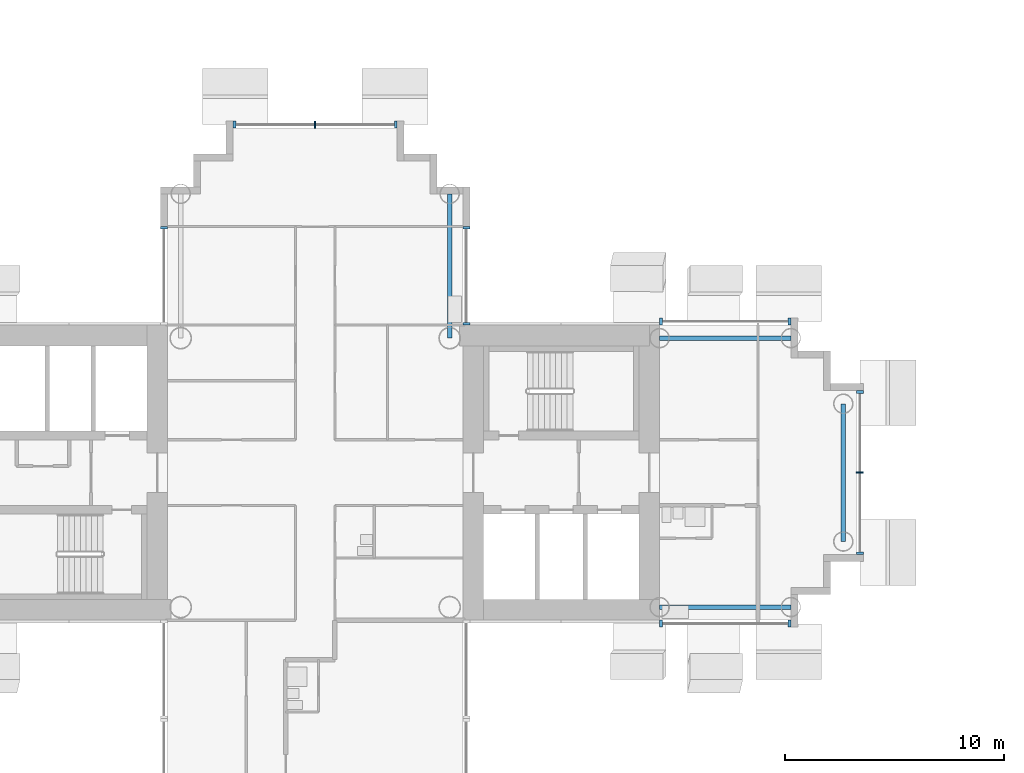
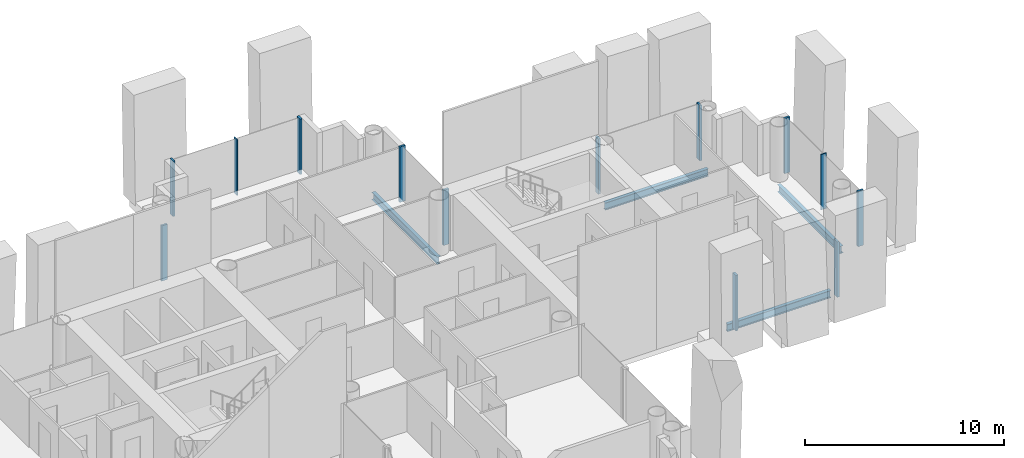
# One storey, part 4 of 20: 13 members, 4 beams, 6 elements without a shape of their own.
"""IFC4 building model written with IfcOpenShell, lengths in metres."""

from ifc_helpers import new_model, si_unit, direction, frame, origin, origin_2d, place, context, subcontext, project, spatial, rectangle, i_section, extrude, material, layer, layer_set, material_profile, profile_set, type_object, element, aggregate, save


model = new_model("IFC4")

# Units and contexts
model_context = context("Model", 3, precision=1e-05, world=origin(), true_north=direction((0.0, 1.0)))
body_context = subcontext(model_context, "Body", "Model", "MODEL_VIEW")
ifc_project = project(units=[si_unit("LENGTHUNIT", "METRE"), si_unit("AREAUNIT", "SQUARE_METRE"), si_unit("VOLUMEUNIT", "CUBIC_METRE"), si_unit("PLANEANGLEUNIT", "RADIAN"), si_unit("MASSUNIT", "GRAM", prefix="KILO")], contexts=[model_context])

# Site, building, storey
site_placement = place(None, origin())
site = spatial("IfcSite", under=ifc_project, at=site_placement, CompositionType="ELEMENT")
building_placement = place(site_placement, origin())
building = spatial("IfcBuilding", under=site, at=building_placement, Name="Ipe Terrace Towers", CompositionType="ELEMENT")
storey_placement = place(building_placement, frame((0.0, 0.0, 120.800048828125)))
storey = spatial("IfcBuildingStorey", under=building, at=storey_placement, Name="L33", CompositionType="ELEMENT", Elevation=120.800048828125)

# Beams
ifc_material_1 = material(Name="Steel S355", Category="steel")
ifc_material_profile_1 = material_profile(ifc_material_1, i_section(OverallWidth=0.199951171875, OverallDepth=0.449951171875, WebThickness=0.009033203125, FlangeThickness=0.013916015625, at=origin_2d()), Name="H-450x200x9x14")
ifc_profile_set_1 = profile_set([ifc_material_profile_1], Name="Steel S355")
beam_type = type_object("IfcBeamType", Name="H08 EDGE BEAM H-450x200x9x14", PredefinedType="BEAM", material=ifc_profile_set_1)
for number, where, z_axis, x_axis, name in (
    (1, (-20.25, -6.14990234375, -0.625), (1.0, 0.0, 0.0), (0.0, 1.0, 0.0), "Edge beam T1-EB-A01-A03"),
    (2, (-20.25, 6.14990234375, -0.625), (1.0, 0.0, 0.0), (0.0, 1.0, 0.0), "Edge beam T1-EB-A02-A04"),
):
    element("IfcBeam", number, at=place(storey_placement, frame(where, z_axis=z_axis, x_axis=x_axis)), inside=storey, type_object=beam_type, Name=name, PredefinedType="BEAM", context=body_context, shape_type="SweptSolid", body=[
        extrude(i_section(OverallWidth=0.199951171875, OverallDepth=0.449951171875, WebThickness=0.009033203125, FlangeThickness=0.013916015625, at=origin_2d()), origin(), (0.0, 0.0, 1.0), 6.0),
    ])
beam_1_placement = place(storey_placement, frame((-11.85009765625, -3.14990234375, -0.625), z_axis=(0.0, 1.0, 0.0), x_axis=(-1.0, 0.0, 0.0)))
element("IfcBeam", 3, at=beam_1_placement, inside=storey, type_object=beam_type, Name="Edge beam T1-EB-A05-A06", PredefinedType="BEAM", context=body_context, shape_type="SweptSolid", body=[
    extrude(i_section(OverallWidth=0.199951171875, OverallDepth=0.449951171875, WebThickness=0.009033203125, FlangeThickness=0.013916015625, at=origin_2d()), origin(), (0.0, 0.0, 1.0), 6.2998046875),
])
beam_2_placement = place(storey_placement, frame((-29.85009765625, 12.75, -0.625), z_axis=(0.0, -1.0, 0.0), x_axis=(1.0, 0.0, 0.0)))
element("IfcBeam", 4, at=beam_2_placement, inside=storey, type_object=beam_type, Name="Edge beam T1-EB-B01-E03", PredefinedType="BEAM", context=body_context, shape_type="SweptSolid", body=[
    extrude(i_section(OverallWidth=0.199951171875, OverallDepth=0.449951171875, WebThickness=0.009033203125, FlangeThickness=0.013916015625, at=origin_2d()), origin(), (0.0, 0.0, 1.0), 6.60009765625),
])

# Curtain wall, members
ifc_material_2 = material(Name="Aluminium alloy 6063-T6", Category="aluminium")
ifc_layer = layer(ifc_material_2, 0.320068359375)
ifc_layer_set = layer_set([ifc_layer], Name="TOWER UNITISED CURTAIN WALL")
curtain_wall_type = type_object("IfcCurtainWallType", Name="TOWER UNITISED CURTAIN WALL", PredefinedType="NOTDEFINED", material=ifc_layer_set)
curtain_wall_1_placement = place(storey_placement, origin())
curtain_wall_1 = element("IfcCurtainWall", 5, at=curtain_wall_1_placement, inside=storey, type_object=curtain_wall_type, Name="T1-CW-L33-20b curtain wall", PredefinedType="NOTDEFINED")
ifc_material_3 = material(Name="Aluminium alloy 6063-T6", Category="aluminium")
ifc_material_profile_2 = material_profile(ifc_material_3, rectangle(XDim=0.320068359375, YDim=0.1201171875, at=origin_2d()), Name="TOWER UNITISED CORNER MULLION 320 x 120")
ifc_profile_set_2 = profile_set([ifc_material_profile_2], Name="Aluminium alloy 6063-T6")
member_type_1 = type_object("IfcMemberType", Name="TOWER UNITISED CORNER MULLION 320 x 120", PredefinedType="MULLION", material=ifc_profile_set_2)
member_1_placement = place(storey_placement, frame((-20.18896484375, -6.909912109375, -0.300048828125), z_axis=(0.0, 0.0, 1.0), x_axis=(0.0, -1.0, 0.0)))
member_1 = element("IfcMember", 6, at=member_1_placement, type_object=member_type_1, Name="T1-CW-L33-20b mullion 1", PredefinedType="MULLION", context=body_context, shape_type="SweptSolid", body=[
    extrude(rectangle(XDim=0.320068359375, YDim=0.1201171875, at=origin_2d()), origin(), (0.0, 0.0, 1.0), 3.39990234375),
])
member_2_placement = place(storey_placement, frame((-14.31005859375, -6.909912109375, -0.300048828125), z_axis=(0.0, 0.0, 1.0), x_axis=(0.0, -1.0, 0.0)))
member_2 = element("IfcMember", 7, at=member_2_placement, type_object=member_type_1, Name="T1-CW-L33-20b mullion 2", PredefinedType="MULLION", context=body_context, shape_type="SweptSolid", body=[
    extrude(rectangle(XDim=0.320068359375, YDim=0.1201171875, at=origin_2d()), origin(), (0.0, 0.0, 1.0), 3.39990234375),
])
aggregate(curtain_wall_1, [member_1, member_2])

curtain_wall_2_placement = place(storey_placement, origin())
curtain_wall_2 = element("IfcCurtainWall", 8, at=curtain_wall_2_placement, inside=storey, type_object=curtain_wall_type, Name="T1-CW-L33-25a curtain wall", PredefinedType="NOTDEFINED")
member_3_placement = place(storey_placement, frame((-11.090087890625, -3.68994140625, -0.300048828125), z_axis=(0.0, 0.0, 1.0), x_axis=(1.0, 0.0, 0.0)))
member_3 = element("IfcMember", 9, at=member_3_placement, type_object=member_type_1, Name="T1-CW-L33-25a mullion 1", PredefinedType="MULLION", context=body_context, shape_type="SweptSolid", body=[
    extrude(rectangle(XDim=0.320068359375, YDim=0.1201171875, at=origin_2d()), origin(), (0.0, 0.0, 1.0), 3.39990234375),
])
member_4_placement = place(storey_placement, frame((-11.090087890625, 3.68994140625, -0.300048828125), z_axis=(0.0, 0.0, 1.0), x_axis=(1.0, 0.0, 0.0)))
member_4 = element("IfcMember", 10, at=member_4_placement, type_object=member_type_1, Name="T1-CW-L33-25a mullion 3", PredefinedType="MULLION", context=body_context, shape_type="SweptSolid", body=[
    extrude(rectangle(XDim=0.320068359375, YDim=0.1201171875, at=origin_2d()), origin(), (0.0, 0.0, 1.0), 3.39990234375),
])

curtain_wall_3_placement = place(storey_placement, origin())
curtain_wall_3 = element("IfcCurtainWall", 11, at=curtain_wall_3_placement, inside=storey, type_object=curtain_wall_type, Name="T1-CW-L33-30a curtain wall", PredefinedType="NOTDEFINED")
member_5_placement = place(storey_placement, frame((-14.31005859375, 6.909912109375, -0.300048828125), z_axis=(0.0, 0.0, 1.0), x_axis=(0.0, 1.0, 0.0)))
member_5 = element("IfcMember", 12, at=member_5_placement, type_object=member_type_1, Name="T1-CW-L33-30a mullion 1", PredefinedType="MULLION", context=body_context, shape_type="SweptSolid", body=[
    extrude(rectangle(XDim=0.320068359375, YDim=0.1201171875, at=origin_2d()), origin(), (0.0, 0.0, 1.0), 3.39990234375),
])
member_6_placement = place(storey_placement, frame((-20.18896484375, 6.909912109375, -0.300048828125), z_axis=(0.0, 0.0, 1.0), x_axis=(0.0, 1.0, 0.0)))
member_6 = element("IfcMember", 13, at=member_6_placement, type_object=member_type_1, Name="T1-CW-L33-30a mullion 2", PredefinedType="MULLION", context=body_context, shape_type="SweptSolid", body=[
    extrude(rectangle(XDim=0.320068359375, YDim=0.1201171875, at=origin_2d()), origin(), (0.0, 0.0, 1.0), 3.39990234375),
])
aggregate(curtain_wall_3, [member_5, member_6])

curtain_wall_4_placement = place(storey_placement, origin())
curtain_wall_4 = element("IfcCurtainWall", 14, at=curtain_wall_4_placement, inside=storey, type_object=curtain_wall_type, Name="T1-CW-L33-32a curtain wall", PredefinedType="NOTDEFINED")
member_7_placement = place(storey_placement, frame((-29.090087890625, 6.81005859375, -0.300048828125), z_axis=(0.0, 0.0, 1.0), x_axis=(1.0, 0.0, 0.0)))
member_7 = element("IfcMember", 15, at=member_7_placement, type_object=member_type_1, Name="T1-CW-L33-32a mullion 1", PredefinedType="MULLION", context=body_context, shape_type="SweptSolid", body=[
    extrude(rectangle(XDim=0.320068359375, YDim=0.1201171875, at=origin_2d()), origin(), (0.0, 0.0, 1.0), 3.39990234375),
])
member_8_placement = place(storey_placement, frame((-29.090087890625, 11.18994140625, -0.300048828125), z_axis=(0.0, 0.0, 1.0), x_axis=(1.0, 0.0, 0.0)))
member_8 = element("IfcMember", 16, at=member_8_placement, type_object=member_type_1, Name="T1-CW-L33-32a mullion 2", PredefinedType="MULLION", context=body_context, shape_type="SweptSolid", body=[
    extrude(rectangle(XDim=0.320068359375, YDim=0.1201171875, at=origin_2d()), origin(), (0.0, 0.0, 1.0), 3.39990234375),
])
aggregate(curtain_wall_4, [member_7, member_8])

curtain_wall_5_placement = place(storey_placement, origin())
curtain_wall_5 = element("IfcCurtainWall", 17, at=curtain_wall_5_placement, inside=storey, type_object=curtain_wall_type, Name="T1-CW-L33-38a curtain wall", PredefinedType="NOTDEFINED")
member_9_placement = place(storey_placement, frame((-32.31005859375, 15.909912109375, -0.300048828125), z_axis=(0.0, 0.0, 1.0), x_axis=(0.0, 1.0, 0.0)))
member_9 = element("IfcMember", 18, at=member_9_placement, type_object=member_type_1, Name="T1-CW-L33-38a mullion 1", PredefinedType="MULLION", context=body_context, shape_type="SweptSolid", body=[
    extrude(rectangle(XDim=0.320068359375, YDim=0.1201171875, at=origin_2d()), origin(), (0.0, 0.0, 1.0), 3.39990234375),
])
member_10_placement = place(storey_placement, frame((-39.68994140625, 15.909912109375, -0.300048828125), z_axis=(0.0, 0.0, 1.0), x_axis=(0.0, 1.0, 0.0)))
member_10 = element("IfcMember", 19, at=member_10_placement, type_object=member_type_1, Name="T1-CW-L33-38a mullion 3", PredefinedType="MULLION", context=body_context, shape_type="SweptSolid", body=[
    extrude(rectangle(XDim=0.320068359375, YDim=0.1201171875, at=origin_2d()), origin(), (0.0, 0.0, 1.0), 3.39990234375),
])

# Curtain wall, member
curtain_wall_6_placement = place(storey_placement, origin())
curtain_wall_6 = element("IfcCurtainWall", 20, at=curtain_wall_6_placement, inside=storey, type_object=curtain_wall_type, Name="T1-CW-L33-44a curtain wall", PredefinedType="NOTDEFINED")
member_11_placement = place(storey_placement, frame((-42.909912109375, 11.18994140625, -0.300048828125), z_axis=(0.0, 0.0, 1.0), x_axis=(-1.0, 0.0, 0.0)))
member_11 = element("IfcMember", 21, at=member_11_placement, type_object=member_type_1, Name="T1-CW-L33-44a mullion 1", PredefinedType="MULLION", context=body_context, shape_type="SweptSolid", body=[
    extrude(rectangle(XDim=0.320068359375, YDim=0.1201171875, at=origin_2d()), origin(), (0.0, 0.0, 1.0), 3.39990234375),
])
aggregate(curtain_wall_6, [member_11])

# Member
ifc_material_4 = material(Name="Aluminium alloy 6063-T6", Category="aluminium")
ifc_material_profile_3 = material_profile(ifc_material_4, rectangle(XDim=0.320068359375, YDim=0.06494140625, at=origin_2d()), Name="TOWER UNITISED MULLION 320 x 65")
ifc_profile_set_3 = profile_set([ifc_material_profile_3], Name="Aluminium alloy 6063-T6")
member_type_2 = type_object("IfcMemberType", Name="TOWER UNITISED MULLION 320 x 65", PredefinedType="MULLION", material=ifc_profile_set_3)
member_12_placement = place(storey_placement, frame((-11.090087890625, 0.0, -0.300048828125), z_axis=(0.0, 0.0, 1.0), x_axis=(1.0, 0.0, 0.0)))
member_12 = element("IfcMember", 22, at=member_12_placement, type_object=member_type_2, Name="T1-CW-L33-25a mullion 2", PredefinedType="MULLION", context=body_context, shape_type="SweptSolid", body=[
    extrude(rectangle(XDim=0.320068359375, YDim=0.06494140625, at=origin_2d()), origin(), (0.0, 0.0, 1.0), 3.39990234375),
])

aggregate(curtain_wall_2, [member_3, member_12, member_4])

member_13_placement = place(storey_placement, frame((-36.0, 15.909912109375, -0.300048828125), z_axis=(0.0, 0.0, 1.0), x_axis=(0.0, 1.0, 0.0)))
member_13 = element("IfcMember", 23, at=member_13_placement, type_object=member_type_2, Name="T1-CW-L33-38a mullion 2", PredefinedType="MULLION", context=body_context, shape_type="SweptSolid", body=[
    extrude(rectangle(XDim=0.320068359375, YDim=0.06494140625, at=origin_2d()), origin(), (0.0, 0.0, 1.0), 3.39990234375),
])

aggregate(curtain_wall_5, [member_9, member_13, member_10])

save(model, "model.ifc")
